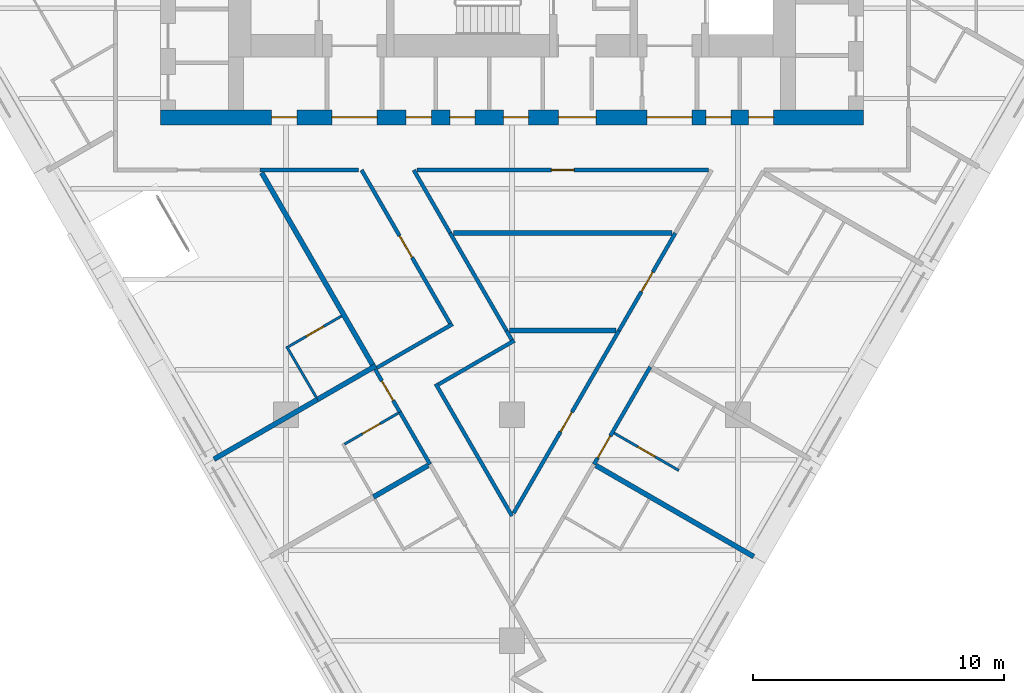
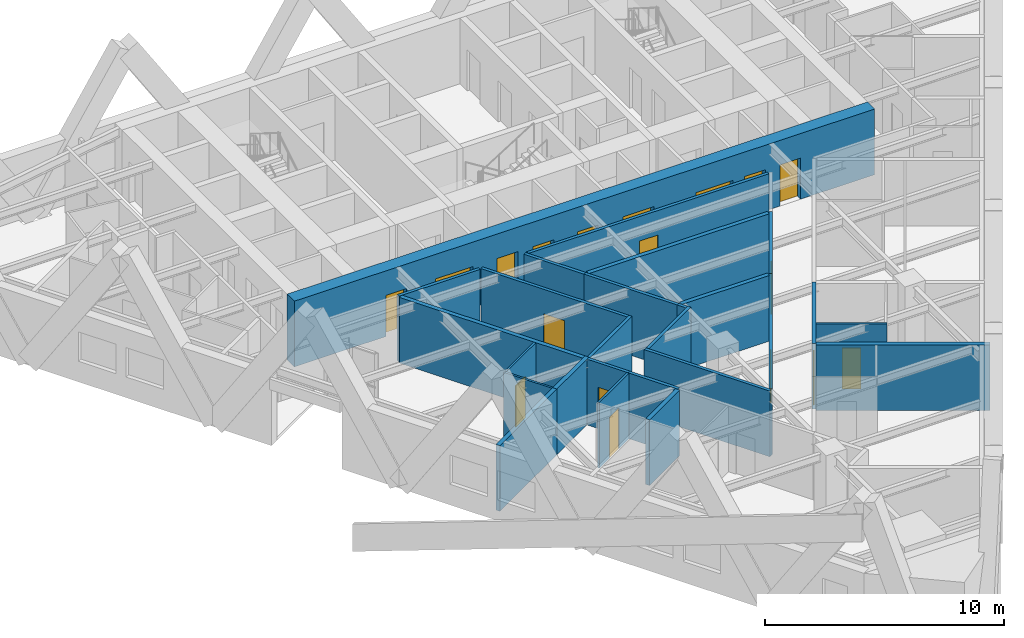
# One storey, part 5 of 12: 26 walls, 18 doors, 18 openings.
"""IFC4 building model written with IfcOpenShell, lengths in metres."""

from ifc_helpers import new_model, si_unit, direction, frame, frame_2d, origin, place, context, subcontext, project, spatial, rectangle, extrude, material, layer, layer_set, type_object, element, fill, save


model = new_model("IFC4")

# Units and contexts
model_context = context("Model", 3, precision=1e-05, world=origin(), true_north=direction((0.0, 1.0)))
body_context = subcontext(model_context, "Body", "Model", "MODEL_VIEW")
ifc_project = project(units=[si_unit("LENGTHUNIT", "METRE"), si_unit("AREAUNIT", "SQUARE_METRE"), si_unit("VOLUMEUNIT", "CUBIC_METRE"), si_unit("PLANEANGLEUNIT", "RADIAN"), si_unit("MASSUNIT", "GRAM", prefix="KILO")], contexts=[model_context])

# Site, building, storey
site_placement = place(None, origin())
site = spatial("IfcSite", under=ifc_project, at=site_placement, CompositionType="ELEMENT")
building_placement = place(site_placement, origin())
building = spatial("IfcBuilding", under=site, at=building_placement, Name="Aloe Facet Convention Tower", CompositionType="ELEMENT")
storey_placement = place(building_placement, frame((0.0, 0.0, 56.0)))
storey = spatial("IfcBuildingStorey", under=building, at=storey_placement, Name="L12", CompositionType="ELEMENT", Elevation=56.0)

# Wall, openings, doors
ifc_material_1 = material(Name="Concrete C80/95", Category="concrete")
ifc_layer_1 = layer(ifc_material_1, 0.60009765625)
ifc_layer_set_1 = layer_set([ifc_layer_1], Name="CR-W-RC600-C8095")
wall_type_1 = type_object("IfcWallType", Name="CR-W-RC600-C8095", PredefinedType="SOLIDWALL", material=ifc_layer_set_1)
wall_1_placement = place(storey_placement, frame((66.0, 119.85009765625, 0.0), z_axis=(0.0, 0.0, 1.0), x_axis=(1.0, 0.0, 0.0)))
wall_1 = element("IfcWall", 1, at=wall_1_placement, inside=storey, type_object=wall_type_1, Name="Core wall L12-003", PredefinedType="SOLIDWALL", context=body_context, shape_type="SweptSolid", body=[
    extrude(rectangle(XDim=28.0, YDim=0.60009765625, at=frame_2d((14.0, 0.0))), origin(), (0.0, 0.0, 1.0), 3.35009765625),
])
opening_1_placement = place(wall_1_placement, frame((6.824951171875, 0.0, 0.0)))
opening_1 = element("IfcOpeningElement", 2, at=opening_1_placement, cuts=wall_1, Name="Opening L12-CD17", PredefinedType="OPENING", context=body_context, shape_type="SweptSolid", body=[
    extrude(rectangle(XDim=1.800048828125, YDim=2.10009765625, at=frame_2d((0.89990234375, 1.050048828125))), frame((0.0, 0.31005859375, 0.0), z_axis=(0.0, -1.0, 0.0), x_axis=(1.0, 0.0, 0.0)), (0.0, 0.0, 1.0), 0.6201171875),
])
opening_2_placement = place(wall_1_placement, frame((15.85009765625, 0.0, 0.0)))
opening_2 = element("IfcOpeningElement", 3, at=opening_2_placement, cuts=wall_1, Name="Opening L12-CD18", PredefinedType="OPENING", context=body_context, shape_type="SweptSolid", body=[
    extrude(rectangle(XDim=1.5, YDim=2.10009765625, at=frame_2d((0.75, 1.050048828125))), frame((0.0, 0.31005859375, 0.0), z_axis=(0.0, -1.0, 0.0), x_axis=(1.0, 0.0, 0.0)), (0.0, 0.0, 1.0), 0.6201171875),
])
opening_3_placement = place(wall_1_placement, frame((19.375, 0.0, 0.0)))
opening_3 = element("IfcOpeningElement", 4, at=opening_3_placement, cuts=wall_1, Name="Opening L12-CD19", PredefinedType="OPENING", context=body_context, shape_type="SweptSolid", body=[
    extrude(rectangle(XDim=1.800048828125, YDim=2.10009765625, at=frame_2d((0.89990234375, 1.050048828125))), frame((0.0, 0.31005859375, 0.0), z_axis=(0.0, -1.0, 0.0), x_axis=(1.0, 0.0, 0.0)), (0.0, 0.0, 1.0), 0.6201171875),
])
opening_4_placement = place(wall_1_placement, frame((4.425048828125, 0.0, 0.0)))
opening_4 = element("IfcOpeningElement", 5, at=opening_4_placement, cuts=wall_1, Name="Opening L12-CD24", PredefinedType="OPENING", context=body_context, shape_type="SweptSolid", body=[
    extrude(rectangle(XDim=1.0, YDim=2.10009765625, at=frame_2d((0.5, 1.050048828125))), frame((0.0, 0.31005859375, 0.0), z_axis=(0.0, -1.0, 0.0), x_axis=(1.0, 0.0, 0.0)), (0.0, 0.0, 1.0), 0.6201171875),
])
opening_5_placement = place(wall_1_placement, frame((9.783203125, 0.0, 0.0)))
opening_5 = element("IfcOpeningElement", 6, at=opening_5_placement, cuts=wall_1, Name="Opening L12-CD25", PredefinedType="OPENING", context=body_context, shape_type="SweptSolid", body=[
    extrude(rectangle(XDim=1.0, YDim=2.10009765625, at=frame_2d((0.5, 1.050048828125))), frame((0.0, 0.31005859375, 0.0), z_axis=(0.0, -1.0, 0.0), x_axis=(1.0, 0.0, 0.0)), (0.0, 0.0, 1.0), 0.6201171875),
])
opening_6_placement = place(wall_1_placement, frame((11.52490234375, 0.0, 0.0)))
opening_6 = element("IfcOpeningElement", 7, at=opening_6_placement, cuts=wall_1, Name="Opening L12-CD26", PredefinedType="OPENING", context=body_context, shape_type="SweptSolid", body=[
    extrude(rectangle(XDim=1.0, YDim=2.10009765625, at=frame_2d((0.5, 1.050048828125))), frame((0.0, 0.31005859375, 0.0), z_axis=(0.0, -1.0, 0.0), x_axis=(1.0, 0.0, 0.0)), (0.0, 0.0, 1.0), 0.6201171875),
])
opening_7_placement = place(wall_1_placement, frame((13.658203125, 0.0, 0.0)))
opening_7 = element("IfcOpeningElement", 8, at=opening_7_placement, cuts=wall_1, Name="Opening L12-CD27", PredefinedType="OPENING", context=body_context, shape_type="SweptSolid", body=[
    extrude(rectangle(XDim=1.0, YDim=2.10009765625, at=frame_2d((0.5, 1.050048828125))), frame((0.0, 0.31005859375, 0.0), z_axis=(0.0, -1.0, 0.0), x_axis=(1.0, 0.0, 0.0)), (0.0, 0.0, 1.0), 0.6201171875),
])
opening_8_placement = place(wall_1_placement, frame((21.72509765625, 0.0, 0.0)))
opening_8 = element("IfcOpeningElement", 9, at=opening_8_placement, cuts=wall_1, Name="Opening L12-CD29", PredefinedType="OPENING", context=body_context, shape_type="SweptSolid", body=[
    extrude(rectangle(XDim=1.0, YDim=2.10009765625, at=frame_2d((0.5, 1.050048828125))), frame((0.0, 0.31005859375, 0.0), z_axis=(0.0, -1.0, 0.0), x_axis=(1.0, 0.0, 0.0)), (0.0, 0.0, 1.0), 0.6201171875),
])
opening_9_placement = place(wall_1_placement, frame((23.425048828125, 0.0, 0.0)))
opening_9 = element("IfcOpeningElement", 10, at=opening_9_placement, cuts=wall_1, Name="Opening L12-CD30", PredefinedType="OPENING", context=body_context, shape_type="SweptSolid", body=[
    extrude(rectangle(XDim=1.0, YDim=2.10009765625, at=frame_2d((0.5, 1.050048828125))), frame((0.0, 0.31005859375, 0.0), z_axis=(0.0, -1.0, 0.0), x_axis=(1.0, 0.0, 0.0)), (0.0, 0.0, 1.0), 0.6201171875),
])
ifc_material_2 = material(Name="Steel fire-resisting door set FD60", Category="steel")
door_type_1 = type_object("IfcDoorType", Name="CR-D-EXIT-1500-FD60-DD", OperationType="DOUBLE_DOOR_DOUBLE_SWING", PredefinedType="DOOR", material=ifc_material_2)
door_1_placement = place(opening_2_placement, origin())
door_1 = element("IfcDoor", 11, at=door_1_placement, inside=storey, type_object=door_type_1, Name="Core door L12-CD18", OperationType="DOUBLE_DOOR_DOUBLE_SWING", OverallHeight=2.10009765625, OverallWidth=1.5, PredefinedType="DOOR", context=body_context, shape_type="SweptSolid", body=[
    extrude(rectangle(XDim=1.5, YDim=2.10009765625, at=frame_2d((0.75, 1.050048828125))), frame((0.0, 0.02490234375, 0.0), z_axis=(0.0, -1.0, 0.0), x_axis=(1.0, 0.0, 0.0)), (0.0, 0.0, 1.0), 0.050048828125),
])
fill(opening_2, door_1)
ifc_material_3 = material(Name="Steel fire-resisting door set FD60", Category="steel")
door_type_2 = type_object("IfcDoorType", Name="CR-D-EXIT-1800-FD60-DD", OperationType="DOUBLE_DOOR_DOUBLE_SWING", PredefinedType="DOOR", material=ifc_material_3)
door_2_placement = place(opening_1_placement, origin())
door_2 = element("IfcDoor", 12, at=door_2_placement, inside=storey, type_object=door_type_2, Name="Core door L12-CD17", OperationType="DOUBLE_DOOR_DOUBLE_SWING", OverallHeight=2.10009765625, OverallWidth=1.800048828125, PredefinedType="DOOR", context=body_context, shape_type="SweptSolid", body=[
    extrude(rectangle(XDim=1.800048828125, YDim=2.10009765625, at=frame_2d((0.89990234375, 1.050048828125))), frame((0.0, 0.02490234375, 0.0), z_axis=(0.0, -1.0, 0.0), x_axis=(1.0, 0.0, 0.0)), (0.0, 0.0, 1.0), 0.050048828125),
])
fill(opening_1, door_2)
door_3_placement = place(opening_3_placement, origin())
door_3 = element("IfcDoor", 13, at=door_3_placement, inside=storey, type_object=door_type_2, Name="Core door L12-CD19", OperationType="DOUBLE_DOOR_DOUBLE_SWING", OverallHeight=2.10009765625, OverallWidth=1.800048828125, PredefinedType="DOOR", context=body_context, shape_type="SweptSolid", body=[
    extrude(rectangle(XDim=1.800048828125, YDim=2.10009765625, at=frame_2d((0.89990234375, 1.050048828125))), frame((0.0, 0.02490234375, 0.0), z_axis=(0.0, -1.0, 0.0), x_axis=(1.0, 0.0, 0.0)), (0.0, 0.0, 1.0), 0.050048828125),
])
fill(opening_3, door_3)
ifc_material_4 = material(Name="Steel fire-resisting door set FD60", Category="steel")
door_type_3 = type_object("IfcDoorType", Name="CR-D-ROOM-1000-FD60-SRIGHT", OperationType="SINGLE_SWING_RIGHT", PredefinedType="DOOR", material=ifc_material_4)
door_4_placement = place(opening_4_placement, origin())
door_4 = element("IfcDoor", 14, at=door_4_placement, inside=storey, type_object=door_type_3, Name="Core door L12-CD24", OperationType="SINGLE_SWING_RIGHT", OverallHeight=2.10009765625, OverallWidth=1.0, PredefinedType="DOOR", context=body_context, shape_type="SweptSolid", body=[
    extrude(rectangle(XDim=1.0, YDim=2.10009765625, at=frame_2d((0.5, 1.050048828125))), frame((0.0, 0.02490234375, 0.0), z_axis=(0.0, -1.0, 0.0), x_axis=(1.0, 0.0, 0.0)), (0.0, 0.0, 1.0), 0.050048828125),
])
fill(opening_4, door_4)
door_5_placement = place(opening_5_placement, origin())
door_5 = element("IfcDoor", 15, at=door_5_placement, inside=storey, type_object=door_type_3, Name="Core door L12-CD25", OperationType="SINGLE_SWING_RIGHT", OverallHeight=2.10009765625, OverallWidth=1.0, PredefinedType="DOOR", context=body_context, shape_type="SweptSolid", body=[
    extrude(rectangle(XDim=1.0, YDim=2.10009765625, at=frame_2d((0.5, 1.050048828125))), frame((0.0, 0.02490234375, 0.0), z_axis=(0.0, -1.0, 0.0), x_axis=(1.0, 0.0, 0.0)), (0.0, 0.0, 1.0), 0.050048828125),
])
fill(opening_5, door_5)
door_6_placement = place(opening_6_placement, origin())
door_6 = element("IfcDoor", 16, at=door_6_placement, inside=storey, type_object=door_type_3, Name="Core door L12-CD26", OperationType="SINGLE_SWING_RIGHT", OverallHeight=2.10009765625, OverallWidth=1.0, PredefinedType="DOOR", context=body_context, shape_type="SweptSolid", body=[
    extrude(rectangle(XDim=1.0, YDim=2.10009765625, at=frame_2d((0.5, 1.050048828125))), frame((0.0, 0.02490234375, 0.0), z_axis=(0.0, -1.0, 0.0), x_axis=(1.0, 0.0, 0.0)), (0.0, 0.0, 1.0), 0.050048828125),
])
fill(opening_6, door_6)
door_7_placement = place(opening_7_placement, origin())
door_7 = element("IfcDoor", 17, at=door_7_placement, inside=storey, type_object=door_type_3, Name="Core door L12-CD27", OperationType="SINGLE_SWING_RIGHT", OverallHeight=2.10009765625, OverallWidth=1.0, PredefinedType="DOOR", context=body_context, shape_type="SweptSolid", body=[
    extrude(rectangle(XDim=1.0, YDim=2.10009765625, at=frame_2d((0.5, 1.050048828125))), frame((0.0, 0.02490234375, 0.0), z_axis=(0.0, -1.0, 0.0), x_axis=(1.0, 0.0, 0.0)), (0.0, 0.0, 1.0), 0.050048828125),
])
fill(opening_7, door_7)
door_8_placement = place(opening_8_placement, origin())
door_8 = element("IfcDoor", 18, at=door_8_placement, inside=storey, type_object=door_type_3, Name="Core door L12-CD29", OperationType="SINGLE_SWING_RIGHT", OverallHeight=2.10009765625, OverallWidth=1.0, PredefinedType="DOOR", context=body_context, shape_type="SweptSolid", body=[
    extrude(rectangle(XDim=1.0, YDim=2.10009765625, at=frame_2d((0.5, 1.050048828125))), frame((0.0, 0.02490234375, 0.0), z_axis=(0.0, -1.0, 0.0), x_axis=(1.0, 0.0, 0.0)), (0.0, 0.0, 1.0), 0.050048828125),
])
fill(opening_8, door_8)
door_9_placement = place(opening_9_placement, origin())
door_9 = element("IfcDoor", 19, at=door_9_placement, inside=storey, type_object=door_type_3, Name="Core door L12-CD30", OperationType="SINGLE_SWING_RIGHT", OverallHeight=2.10009765625, OverallWidth=1.0, PredefinedType="DOOR", context=body_context, shape_type="SweptSolid", body=[
    extrude(rectangle(XDim=1.0, YDim=2.10009765625, at=frame_2d((0.5, 1.050048828125))), frame((0.0, 0.02490234375, 0.0), z_axis=(0.0, -1.0, 0.0), x_axis=(1.0, 0.0, 0.0)), (0.0, 0.0, 1.0), 0.050048828125),
])
fill(opening_9, door_9)

# Wall, opening, door
ifc_material_5 = material(Name="Gypsum board partition on steel studs", Category="steel")
ifc_layer_2 = layer(ifc_material_5, 0.14990234375)
ifc_layer_set_2 = layer_set([ifc_layer_2], Name="IN-W-CORR")
wall_type_2 = type_object("IfcWallType", Name="IN-W-CORR", PredefinedType="PARTITIONING", material=ifc_layer_set_2)
wall_2_placement = place(storey_placement, frame((74.547607421875, 109.814453125, 0.0), z_axis=(0.0, 0.0, 1.0), x_axis=(0.499968599967, -0.866043531843, 0.0)))
wall_2 = element("IfcWall", 20, at=wall_2_placement, inside=storey, type_object=wall_type_2, Name="Partition L12-W026", PredefinedType="PARTITIONING", context=body_context, shape_type="SweptSolid", body=[
    extrude(rectangle(XDim=1.974853515625, YDim=0.14990234375, at=frame_2d((0.9873046875, 0.0))), origin(), (0.0, 0.0, 1.0), 3.35009765625),
])
opening_10_placement = place(wall_2_placement, frame((0.53759765625, 0.0, 0.0)))
opening_10 = element("IfcOpeningElement", 21, at=opening_10_placement, cuts=wall_2, Name="Opening L12-004", PredefinedType="OPENING", context=body_context, shape_type="SweptSolid", body=[
    extrude(rectangle(XDim=0.89990234375, YDim=2.10009765625, at=frame_2d((0.449951171875, 1.050048828125))), frame((0.0, 0.0849609375, 0.0), z_axis=(0.0, -1.0, 0.0), x_axis=(1.0, 0.0, 0.0)), (0.0, 0.0, 1.0), 0.169921875),
])
ifc_material_6 = material(Name="Hardwood flush door FD30S", Category="wood")
door_type_4 = type_object("IfcDoorType", Name="IN-D-GUEST", OperationType="SINGLE_SWING_LEFT", PredefinedType="DOOR", material=ifc_material_6)
door_10_placement = place(opening_10_placement, origin())
door_10 = element("IfcDoor", 22, at=door_10_placement, inside=storey, type_object=door_type_4, Name="Door L12-004", OperationType="SINGLE_SWING_LEFT", OverallHeight=2.10009765625, OverallWidth=0.89990234375, PredefinedType="DOOR", context=body_context, shape_type="SweptSolid", body=[
    extrude(rectangle(XDim=0.89990234375, YDim=2.10009765625, at=frame_2d((0.449951171875, 1.050048828125))), frame((0.0, 0.02490234375, 0.0), z_axis=(0.0, -1.0, 0.0), x_axis=(1.0, 0.0, 0.0)), (0.0, 0.0, 1.0), 0.050048828125),
])
fill(opening_10, door_10)

# Walls
wall_3_placement = place(storey_placement, frame((75.534912109375, 108.104248046875, 0.0), z_axis=(0.0, 0.0, 1.0), x_axis=(0.500033551112, -0.866006032174, 0.0)))
element("IfcWall", 23, at=wall_3_placement, inside=storey, type_object=wall_type_2, Name="Partition L12-W027", PredefinedType="PARTITIONING", context=body_context, shape_type="SweptSolid", body=[
    extrude(rectangle(XDim=2.400146484375, YDim=0.14990234375, at=frame_2d((1.2001953125, 0.0))), origin(), (0.0, 0.0, 1.0), 3.35009765625),
])
wall_4_placement = place(storey_placement, frame((76.96142578125, 109.233642578125, 0.0), z_axis=(0.0, 0.0, 1.0), x_axis=(0.499984420002, -0.866034398714, 0.0)))
element("IfcWall", 24, at=wall_4_placement, inside=storey, type_object=wall_type_2, Name="Partition L12-W031", PredefinedType="PARTITIONING", context=body_context, shape_type="SweptSolid", body=[
    extrude(rectangle(XDim=6.077392578125, YDim=0.14990234375, at=frame_2d((3.03857421875, 0.0))), origin(), (0.0, 0.0, 1.0), 3.35009765625),
])
wall_5_placement = place(storey_placement, frame((74.613525390625, 109.8701171875, 0.0), z_axis=(0.0, 0.0, 1.0), x_axis=(0.866043466982, 0.49996871232, 0.0)))
element("IfcWall", 25, at=wall_5_placement, inside=storey, type_object=wall_type_2, Name="Partition L12-W033", PredefinedType="PARTITIONING", context=body_context, shape_type="SweptSolid", body=[
    extrude(rectangle(XDim=3.489990234375, YDim=0.14990234375, at=frame_2d((1.7451171875, 0.0))), origin(), (0.0, 0.0, 1.0), 3.35009765625),
])

# Wall, opening, door
wall_6_placement = place(storey_placement, frame((83.264892578125, 106.025634765625, 0.0), z_axis=(0.0, 0.0, 1.0), x_axis=(0.499989762656, 0.866031314237, 0.0)))
wall_6 = element("IfcWall", 26, at=wall_6_placement, inside=storey, type_object=wall_type_2, Name="Partition L12-W036", PredefinedType="PARTITIONING", context=body_context, shape_type="SweptSolid", body=[
    extrude(rectangle(XDim=4.47998046875, YDim=0.14990234375, at=frame_2d((2.239990234375, 0.0))), origin(), (0.0, 0.0, 1.0), 3.35009765625),
])
opening_11_placement = place(wall_6_placement, frame((0.300048828125, 0.0, 0.0)))
opening_11 = element("IfcOpeningElement", 27, at=opening_11_placement, cuts=wall_6, Name="Opening L12-007", PredefinedType="OPENING", context=body_context, shape_type="SweptSolid", body=[
    extrude(rectangle(XDim=1.0, YDim=2.10009765625, at=frame_2d((0.5, 1.050048828125))), frame((0.0, 0.0849609375, 0.0), z_axis=(0.0, -1.0, 0.0), x_axis=(1.0, 0.0, 0.0)), (0.0, 0.0, 1.0), 0.169921875),
])
ifc_material_7 = material(Name="Hardwood flush door FD30S", Category="wood")
door_type_5 = type_object("IfcDoorType", Name="IN-D-WIDE", OperationType="SINGLE_SWING_LEFT", PredefinedType="DOOR", material=ifc_material_7)
door_11_placement = place(opening_11_placement, origin())
door_11 = element("IfcDoor", 28, at=door_11_placement, inside=storey, type_object=door_type_5, Name="Door L12-007", OperationType="SINGLE_SWING_LEFT", OverallHeight=2.10009765625, OverallWidth=1.0, PredefinedType="DOOR", context=body_context, shape_type="SweptSolid", body=[
    extrude(rectangle(XDim=1.0, YDim=2.10009765625, at=frame_2d((0.5, 1.050048828125))), frame((0.0, 0.02490234375, 0.0), z_axis=(0.0, -1.0, 0.0), x_axis=(1.0, 0.0, 0.0)), (0.0, 0.0, 1.0), 0.050048828125),
])
fill(opening_11, door_11)

# Walls
wall_7_placement = place(storey_placement, frame((77.072509765625, 109.211181640625, 0.0), z_axis=(0.0, 0.0, 1.0), x_axis=(0.866013176292, 0.50002117804, 0.0)))
element("IfcWall", 29, at=wall_7_placement, inside=storey, type_object=wall_type_2, Name="Partition L12-W039", PredefinedType="PARTITIONING", context=body_context, shape_type="SweptSolid", body=[
    extrude(rectangle(XDim=3.489990234375, YDim=0.14990234375, at=frame_2d((1.7451171875, 0.0))), origin(), (0.0, 0.0, 1.0), 3.35009765625),
])
wall_8_placement = place(storey_placement, frame((79.781005859375, 111.35009765625, 0.0), z_axis=(0.0, 0.0, 1.0), x_axis=(0.499739105689, -0.866175978797, 0.0)))
element("IfcWall", 30, at=wall_8_placement, inside=storey, type_object=wall_type_2, Name="Partition L12-W040", PredefinedType="PARTITIONING", context=body_context, shape_type="SweptSolid", body=[
    extrude(rectangle(XDim=0.423095703125, YDim=0.14990234375, at=frame_2d((0.21142578125, 0.0))), origin(), (0.0, 0.0, 1.0), 3.35009765625),
])

# Wall, opening, door
wall_9_placement = place(storey_placement, frame((80.06494140625, 104.0830078125, 0.0), z_axis=(0.0, 0.0, 1.0), x_axis=(0.49999109456, 0.866030545282, 0.0)))
wall_9 = element("IfcWall", 31, at=wall_9_placement, inside=storey, type_object=wall_type_2, Name="Partition L12-W041", PredefinedType="PARTITIONING", context=body_context, shape_type="SweptSolid", body=[
    extrude(rectangle(XDim=8.391357421875, YDim=0.14990234375, at=frame_2d((4.19580078125, 0.0))), origin(), (0.0, 0.0, 1.0), 3.35009765625),
])
opening_12_placement = place(wall_9_placement, frame((3.74560546875, 0.0, 0.0)))
opening_12 = element("IfcOpeningElement", 32, at=opening_12_placement, cuts=wall_9, Name="Opening L12-011", PredefinedType="OPENING", context=body_context, shape_type="SweptSolid", body=[
    extrude(rectangle(XDim=0.89990234375, YDim=2.10009765625, at=frame_2d((0.449951171875, 1.050048828125))), frame((0.0, 0.0849609375, 0.0), z_axis=(0.0, -1.0, 0.0), x_axis=(1.0, 0.0, 0.0)), (0.0, 0.0, 1.0), 0.169921875),
])
door_12_placement = place(opening_12_placement, origin())
door_12 = element("IfcDoor", 33, at=door_12_placement, inside=storey, type_object=door_type_4, Name="Door L12-011", OperationType="SINGLE_SWING_LEFT", OverallHeight=2.10009765625, OverallWidth=0.89990234375, PredefinedType="DOOR", context=body_context, shape_type="SweptSolid", body=[
    extrude(rectangle(XDim=0.89990234375, YDim=2.10009765625, at=frame_2d((0.449951171875, 1.050048828125))), frame((0.0, 0.02490234375, 0.0), z_axis=(0.0, -1.0, 0.0), x_axis=(1.0, 0.0, 0.0)), (0.0, 0.0, 1.0), 0.050048828125),
])
fill(opening_12, door_12)

wall_10_placement = place(storey_placement, frame((84.260498046875, 111.35009765625, 0.0), z_axis=(0.0, 0.0, 1.0), x_axis=(0.500003186274, 0.866023564181, 0.0)))
wall_10 = element("IfcWall", 34, at=wall_10_placement, inside=storey, type_object=wall_type_2, Name="Partition L12-W043", PredefinedType="PARTITIONING", context=body_context, shape_type="SweptSolid", body=[
    extrude(rectangle(XDim=4.49169921875, YDim=0.14990234375, at=frame_2d((2.245849609375, 0.0))), origin(), (0.0, 0.0, 1.0), 3.35009765625),
])
opening_13_placement = place(wall_10_placement, frame((1.7958984375, 0.0, 0.0)))
opening_13 = element("IfcOpeningElement", 35, at=opening_13_placement, cuts=wall_10, Name="Opening L12-012", PredefinedType="OPENING", context=body_context, shape_type="SweptSolid", body=[
    extrude(rectangle(XDim=0.89990234375, YDim=2.10009765625, at=frame_2d((0.449951171875, 1.050048828125))), frame((0.0, 0.0849609375, 0.0), z_axis=(0.0, -1.0, 0.0), x_axis=(1.0, 0.0, 0.0)), (0.0, 0.0, 1.0), 0.169921875),
])
door_13_placement = place(opening_13_placement, origin())
door_13 = element("IfcDoor", 36, at=door_13_placement, inside=storey, type_object=door_type_4, Name="Door L12-012", OperationType="SINGLE_SWING_LEFT", OverallHeight=2.10009765625, OverallWidth=0.89990234375, PredefinedType="DOOR", context=body_context, shape_type="SweptSolid", body=[
    extrude(rectangle(XDim=0.89990234375, YDim=2.10009765625, at=frame_2d((0.449951171875, 1.050048828125))), frame((0.0, 0.02490234375, 0.0), z_axis=(0.0, -1.0, 0.0), x_axis=(1.0, 0.0, 0.0)), (0.0, 0.0, 1.0), 0.050048828125),
])
fill(opening_13, door_13)

wall_11_placement = place(storey_placement, frame((74.00732421875, 117.75, 0.0), z_axis=(0.0, 0.0, 1.0), x_axis=(0.500026110575, -0.866010328312, 0.0)))
wall_11 = element("IfcWall", 37, at=wall_11_placement, inside=storey, type_object=wall_type_2, Name="Partition L12-W044", PredefinedType="PARTITIONING", context=body_context, shape_type="SweptSolid", body=[
    extrude(rectangle(XDim=7.05224609375, YDim=0.14990234375, at=frame_2d((3.526123046875, 0.0))), origin(), (0.0, 0.0, 1.0), 3.35009765625),
])
opening_14_placement = place(wall_11_placement, frame((3.026123046875, 0.0, 0.0)))
opening_14 = element("IfcOpeningElement", 38, at=opening_14_placement, cuts=wall_11, Name="Opening L12-010", PredefinedType="OPENING", context=body_context, shape_type="SweptSolid", body=[
    extrude(rectangle(XDim=1.0, YDim=2.10009765625, at=frame_2d((0.5, 1.050048828125))), frame((0.0, 0.0849609375, 0.0), z_axis=(0.0, -1.0, 0.0), x_axis=(1.0, 0.0, 0.0)), (0.0, 0.0, 1.0), 0.169921875),
])
door_14_placement = place(opening_14_placement, origin())
door_14 = element("IfcDoor", 39, at=door_14_placement, inside=storey, type_object=door_type_5, Name="Door L12-010", OperationType="SINGLE_SWING_LEFT", OverallHeight=2.10009765625, OverallWidth=1.0, PredefinedType="DOOR", context=body_context, shape_type="SweptSolid", body=[
    extrude(rectangle(XDim=1.0, YDim=2.10009765625, at=frame_2d((0.5, 1.050048828125))), frame((0.0, 0.02490234375, 0.0), z_axis=(0.0, -1.0, 0.0), x_axis=(1.0, 0.0, 0.0)), (0.0, 0.0, 1.0), 0.050048828125),
])
fill(opening_14, door_14)

# Walls
wall_12_placement = place(storey_placement, frame((77.534912109375, 115.239990234375, 0.0), z_axis=(0.0, 0.0, 1.0), x_axis=(0.500043949999, -0.866000027754, 0.0)))
element("IfcWall", 40, at=wall_12_placement, inside=storey, type_object=wall_type_2, Name="Partition L12-W052", PredefinedType="PARTITIONING", context=body_context, shape_type="SweptSolid", body=[
    extrude(rectangle(XDim=4.49169921875, YDim=0.14990234375, at=frame_2d((2.245849609375, 0.0))), origin(), (0.0, 0.0, 1.0), 3.35009765625),
])
wall_13_placement = place(storey_placement, frame((69.966064453125, 117.75, 0.0), z_axis=(0.0, 0.0, 1.0), x_axis=(1.0, 0.0, 0.0)))
element("IfcWall", 41, at=wall_13_placement, inside=storey, type_object=wall_type_2, Name="Partition L12-W065", PredefinedType="PARTITIONING", context=body_context, shape_type="SweptSolid", body=[
    extrude(rectangle(XDim=3.911376953125, YDim=0.14990234375, at=frame_2d((1.95556640625, 0.0))), origin(), (0.0, 0.0, 1.0), 3.35009765625),
])
wall_14_placement = place(storey_placement, frame((76.0859375, 117.75, 0.0), z_axis=(0.0, 0.0, 1.0), x_axis=(0.499953366038, -0.866052326241, 0.0)))
element("IfcWall", 42, at=wall_14_placement, inside=storey, type_object=wall_type_2, Name="Partition L12-W066", PredefinedType="PARTITIONING", context=body_context, shape_type="SweptSolid", body=[
    extrude(rectangle(XDim=2.898193359375, YDim=0.14990234375, at=frame_2d((1.44921875, 0.0))), origin(), (0.0, 0.0, 1.0), 3.35009765625),
])

# Wall, opening, door
wall_15_placement = place(storey_placement, frame((76.2158203125, 117.75, 0.0), z_axis=(0.0, 0.0, 1.0), x_axis=(1.0, 0.0, 0.0)))
wall_15 = element("IfcWall", 43, at=wall_15_placement, inside=storey, type_object=wall_type_2, Name="Partition L12-W067", PredefinedType="PARTITIONING", context=body_context, shape_type="SweptSolid", body=[
    extrude(rectangle(XDim=11.60986328125, YDim=0.14990234375, at=frame_2d((5.804931640625, 0.0))), origin(), (0.0, 0.0, 1.0), 3.35009765625),
])
opening_15_placement = place(wall_15_placement, frame((5.35498046875, 0.0, 0.0)))
opening_15 = element("IfcOpeningElement", 44, at=opening_15_placement, cuts=wall_15, Name="Opening L12-013", PredefinedType="OPENING", context=body_context, shape_type="SweptSolid", body=[
    extrude(rectangle(XDim=0.89990234375, YDim=2.10009765625, at=frame_2d((0.449951171875, 1.050048828125))), frame((0.0, 0.0849609375, 0.0), z_axis=(0.0, -1.0, 0.0), x_axis=(1.0, 0.0, 0.0)), (0.0, 0.0, 1.0), 0.169921875),
])
door_15_placement = place(opening_15_placement, origin())
door_15 = element("IfcDoor", 45, at=door_15_placement, inside=storey, type_object=door_type_4, Name="Door L12-013", OperationType="SINGLE_SWING_LEFT", OverallHeight=2.10009765625, OverallWidth=0.89990234375, PredefinedType="DOOR", context=body_context, shape_type="SweptSolid", body=[
    extrude(rectangle(XDim=0.89990234375, YDim=2.10009765625, at=frame_2d((0.449951171875, 1.050048828125))), frame((0.0, 0.02490234375, 0.0), z_axis=(0.0, -1.0, 0.0), x_axis=(1.0, 0.0, 0.0)), (0.0, 0.0, 1.0), 0.050048828125),
])
fill(opening_15, door_15)

ifc_material_8 = material(Name="Gypsum board partition on steel studs", Category="steel")
ifc_layer_3 = layer(ifc_material_8, 0.10009765625)
ifc_layer_set_3 = layer_set([ifc_layer_3], Name="IN-W-PART")
wall_type_3 = type_object("IfcWallType", Name="IN-W-PART", PredefinedType="PARTITIONING", material=ifc_layer_set_3)
wall_16_placement = place(storey_placement, frame((84.070068359375, 107.269775390625, 0.0), z_axis=(0.0, 0.0, 1.0), x_axis=(0.866053027861, -0.499952150643, 0.0)))
wall_16 = element("IfcWall", 46, at=wall_16_placement, inside=storey, type_object=wall_type_3, Name="Partition L12-W014", PredefinedType="PARTITIONING", context=body_context, shape_type="SweptSolid", body=[
    extrude(rectangle(XDim=2.974853515625, YDim=0.10009765625, at=frame_2d((1.4873046875, 0.0))), origin(), (0.0, 0.0, 1.0), 3.35009765625),
])
opening_16_placement = place(wall_16_placement, frame((1.08740234375, 0.0, 0.0)))
opening_16 = element("IfcOpeningElement", 47, at=opening_16_placement, cuts=wall_16, Name="Opening L12-024", PredefinedType="OPENING", context=body_context, shape_type="SweptSolid", body=[
    extrude(rectangle(XDim=0.800048828125, YDim=2.10009765625, at=frame_2d((0.39990234375, 1.050048828125))), frame((0.0, 0.06005859375, 0.0), z_axis=(0.0, -1.0, 0.0), x_axis=(1.0, 0.0, 0.0)), (0.0, 0.0, 1.0), 0.1201171875),
])
ifc_material_9 = material(Name="Timber flush door", Category="wood")
door_type_6 = type_object("IfcDoorType", Name="IN-D-BATH", OperationType="SINGLE_SWING_LEFT", PredefinedType="DOOR", material=ifc_material_9)
door_16_placement = place(opening_16_placement, origin())
door_16 = element("IfcDoor", 48, at=door_16_placement, inside=storey, type_object=door_type_6, Name="Door L12-024", OperationType="SINGLE_SWING_LEFT", OverallHeight=2.10009765625, OverallWidth=0.800048828125, PredefinedType="DOOR", context=body_context, shape_type="SweptSolid", body=[
    extrude(rectangle(XDim=0.800048828125, YDim=2.10009765625, at=frame_2d((0.39990234375, 1.050048828125))), frame((0.0, 0.02490234375, 0.0), z_axis=(0.0, -1.0, 0.0), x_axis=(1.0, 0.0, 0.0)), (0.0, 0.0, 1.0), 0.050048828125),
])
fill(opening_16, door_16)

wall_17_placement = place(storey_placement, frame((73.32666015625, 106.8291015625, 0.0), z_axis=(0.0, 0.0, 1.0), x_axis=(0.866040446274, 0.499973944738, 0.0)))
wall_17 = element("IfcWall", 49, at=wall_17_placement, inside=storey, type_object=wall_type_3, Name="Partition L12-W022", PredefinedType="PARTITIONING", context=body_context, shape_type="SweptSolid", body=[
    extrude(rectangle(XDim=2.465087890625, YDim=0.10009765625, at=frame_2d((1.232421875, 0.0))), origin(), (0.0, 0.0, 1.0), 3.35009765625),
])
opening_17_placement = place(wall_17_placement, frame((0.83251953125, 0.0, 0.0)))
opening_17 = element("IfcOpeningElement", 50, at=opening_17_placement, cuts=wall_17, Name="Opening L12-021", PredefinedType="OPENING", context=body_context, shape_type="SweptSolid", body=[
    extrude(rectangle(XDim=0.800048828125, YDim=2.10009765625, at=frame_2d((0.39990234375, 1.050048828125))), frame((0.0, 0.06005859375, 0.0), z_axis=(0.0, -1.0, 0.0), x_axis=(1.0, 0.0, 0.0)), (0.0, 0.0, 1.0), 0.1201171875),
])
door_17_placement = place(opening_17_placement, origin())
door_17 = element("IfcDoor", 51, at=door_17_placement, inside=storey, type_object=door_type_6, Name="Door L12-021", OperationType="SINGLE_SWING_LEFT", OverallHeight=2.10009765625, OverallWidth=0.800048828125, PredefinedType="DOOR", context=body_context, shape_type="SweptSolid", body=[
    extrude(rectangle(XDim=0.800048828125, YDim=2.10009765625, at=frame_2d((0.39990234375, 1.050048828125))), frame((0.0, 0.02490234375, 0.0), z_axis=(0.0, -1.0, 0.0), x_axis=(1.0, 0.0, 0.0)), (0.0, 0.0, 1.0), 0.050048828125),
])
fill(opening_17, door_17)

# Wall
wall_18_placement = place(storey_placement, frame((71.01806640625, 110.72705078125, 0.0), z_axis=(0.0, 0.0, 1.0), x_axis=(0.503637463939, -0.863915102841, 0.0)))
element("IfcWall", 52, at=wall_18_placement, inside=storey, type_object=wall_type_3, Name="Partition L12-W030", PredefinedType="PARTITIONING", context=body_context, shape_type="SweptSolid", body=[
    extrude(rectangle(XDim=2.33984375, YDim=0.10009765625, at=frame_2d((1.169921875, 0.0))), origin(), (0.0, 0.0, 1.0), 3.35009765625),
])

# Wall, opening, door
wall_19_placement = place(storey_placement, frame((71.09521484375, 110.7138671875, 0.0), z_axis=(0.0, 0.0, 1.0), x_axis=(0.866048967903, 0.499959183527, 0.0)))
wall_19 = element("IfcWall", 53, at=wall_19_placement, inside=storey, type_object=wall_type_3, Name="Partition L12-W038", PredefinedType="PARTITIONING", context=body_context, shape_type="SweptSolid", body=[
    extrude(rectangle(XDim=2.440185546875, YDim=0.10009765625, at=frame_2d((1.22021484375, 0.0))), origin(), (0.0, 0.0, 1.0), 3.35009765625),
])
opening_18_placement = place(wall_19_placement, frame((0.820068359375, 0.0, 0.0)))
opening_18 = element("IfcOpeningElement", 54, at=opening_18_placement, cuts=wall_19, Name="Opening L12-020", PredefinedType="OPENING", context=body_context, shape_type="SweptSolid", body=[
    extrude(rectangle(XDim=0.800048828125, YDim=2.10009765625, at=frame_2d((0.39990234375, 1.050048828125))), frame((0.0, 0.06005859375, 0.0), z_axis=(0.0, -1.0, 0.0), x_axis=(1.0, 0.0, 0.0)), (0.0, 0.0, 1.0), 0.1201171875),
])
door_18_placement = place(opening_18_placement, origin())
door_18 = element("IfcDoor", 55, at=door_18_placement, inside=storey, type_object=door_type_6, Name="Door L12-020", OperationType="SINGLE_SWING_LEFT", OverallHeight=2.10009765625, OverallWidth=0.800048828125, PredefinedType="DOOR", context=body_context, shape_type="SweptSolid", body=[
    extrude(rectangle(XDim=0.800048828125, YDim=2.10009765625, at=frame_2d((0.39990234375, 1.050048828125))), frame((0.0, 0.02490234375, 0.0), z_axis=(0.0, -1.0, 0.0), x_axis=(1.0, 0.0, 0.0)), (0.0, 0.0, 1.0), 0.050048828125),
])
fill(opening_18, door_18)

# Walls
ifc_material_10 = material(Name="Gypsum board partition on steel studs", Category="steel")
ifc_layer_4 = layer(ifc_material_10, 0.199951171875)
ifc_layer_set_4 = layer_set([ifc_layer_4], Name="IN-W-PARTY")
wall_type_4 = type_object("IfcWallType", Name="IN-W-PARTY", PredefinedType="PARTITIONING", material=ifc_layer_set_4)
wall_20_placement = place(storey_placement, frame((83.338623046875, 105.983154296875, 0.0), z_axis=(0.0, 0.0, 1.0), x_axis=(0.866023858256, -0.500002676924, 0.0)))
element("IfcWall", 56, at=wall_20_placement, inside=storey, type_object=wall_type_4, Name="Partition L12-W006", PredefinedType="PARTITIONING", context=body_context, shape_type="SweptSolid", body=[
    extrude(rectangle(XDim=7.26513671875, YDim=0.199951171875, at=frame_2d((3.632568359375, 0.0))), origin(), (0.0, 0.0, 1.0), 3.35009765625),
])
wall_21_placement = place(storey_placement, frame((74.4833984375, 104.7255859375, 0.0), z_axis=(0.0, 0.0, 1.0), x_axis=(0.866006140796, 0.500033362991, 0.0)))
element("IfcWall", 57, at=wall_21_placement, inside=storey, type_object=wall_type_4, Name="Partition L12-W017", PredefinedType="PARTITIONING", context=body_context, shape_type="SweptSolid", body=[
    extrude(rectangle(XDim=2.514892578125, YDim=0.199951171875, at=frame_2d((1.25732421875, 0.0))), origin(), (0.0, 0.0, 1.0), 3.35009765625),
])
wall_22_placement = place(storey_placement, frame((68.129638671875, 106.23046875, 0.0), z_axis=(0.0, 0.0, 1.0), x_axis=(0.866037825118, 0.499978485002, 0.0)))
element("IfcWall", 58, at=wall_22_placement, inside=storey, type_object=wall_type_4, Name="Partition L12-W020", PredefinedType="PARTITIONING", context=body_context, shape_type="SweptSolid", body=[
    extrude(rectangle(XDim=4.760009765625, YDim=0.199951171875, at=frame_2d((2.3798828125, 0.0))), origin(), (0.0, 0.0, 1.0), 3.35009765625),
])
wall_23_placement = place(storey_placement, frame((72.251953125, 108.6103515625, 0.0), z_axis=(0.0, 0.0, 1.0), x_axis=(0.865989100438, 0.500062873969, 0.0)))
element("IfcWall", 59, at=wall_23_placement, inside=storey, type_object=wall_type_4, Name="Partition L12-W034", PredefinedType="PARTITIONING", context=body_context, shape_type="SweptSolid", body=[
    extrude(rectangle(XDim=2.690185546875, YDim=0.199951171875, at=frame_2d((1.34521484375, 0.0))), origin(), (0.0, 0.0, 1.0), 3.35009765625),
])
wall_24_placement = place(storey_placement, frame((70.028564453125, 117.641845703125, 0.0), z_axis=(0.0, 0.0, 1.0), x_axis=(0.499997595687, -0.866026791911, 0.0)))
element("IfcWall", 60, at=wall_24_placement, inside=storey, type_object=wall_type_4, Name="Partition L12-W035", PredefinedType="PARTITIONING", context=body_context, shape_type="SweptSolid", body=[
    extrude(rectangle(XDim=8.8330078125, YDim=0.199951171875, at=frame_2d((4.41650390625, 0.0))), origin(), (0.0, 0.0, 1.0), 3.35009765625),
])
wall_25_placement = place(storey_placement, frame((79.906005859375, 111.35009765625, 0.0), z_axis=(0.0, 0.0, 1.0), x_axis=(1.0, 0.0, 0.0)))
element("IfcWall", 61, at=wall_25_placement, inside=storey, type_object=wall_type_4, Name="Partition L12-W042", PredefinedType="PARTITIONING", context=body_context, shape_type="SweptSolid", body=[
    extrude(rectangle(XDim=4.2294921875, YDim=0.199951171875, at=frame_2d((2.11474609375, 0.0))), origin(), (0.0, 0.0, 1.0), 3.35009765625),
])
wall_26_placement = place(storey_placement, frame((77.659912109375, 115.239990234375, 0.0), z_axis=(0.0, 0.0, 1.0), x_axis=(1.0, 0.0, 0.0)))
element("IfcWall", 62, at=wall_26_placement, inside=storey, type_object=wall_type_4, Name="Partition L12-W053", PredefinedType="PARTITIONING", context=body_context, shape_type="SweptSolid", body=[
    extrude(rectangle(XDim=8.721435546875, YDim=0.199951171875, at=frame_2d((4.36083984375, 0.0))), origin(), (0.0, 0.0, 1.0), 3.35009765625),
])

save(model, "model.ifc")
